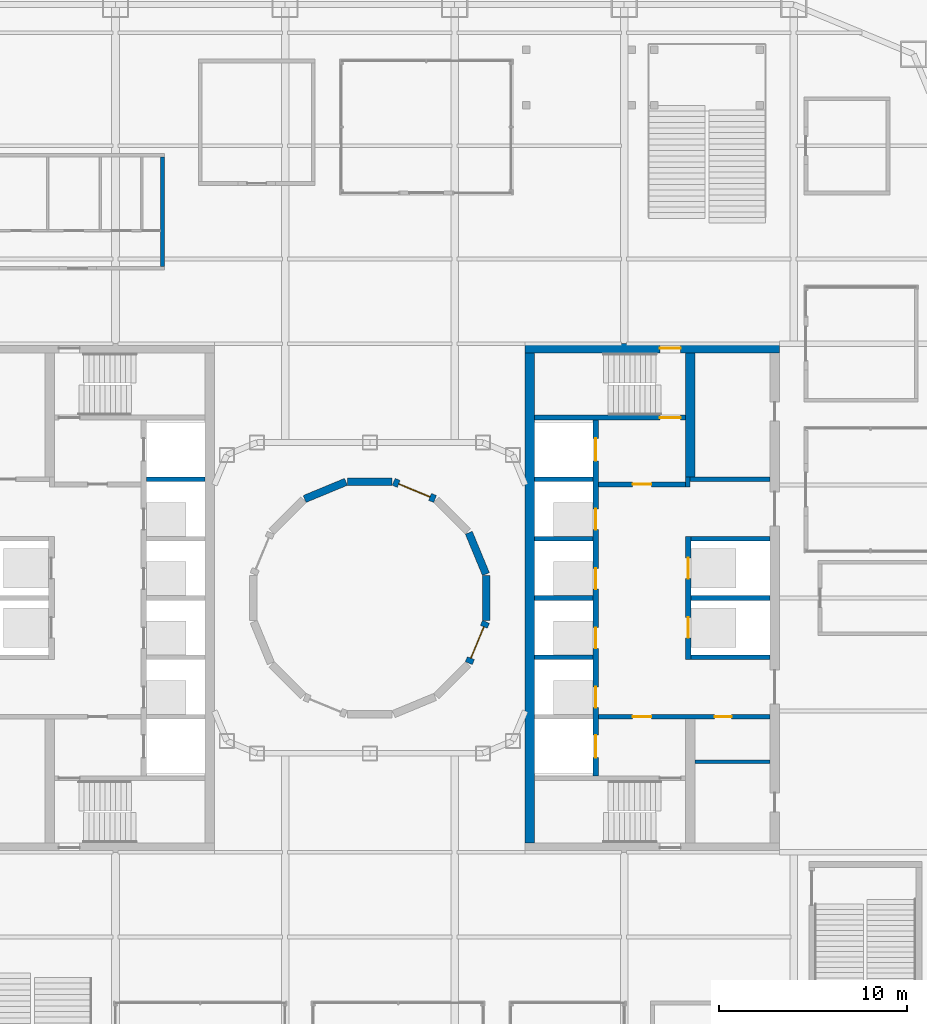
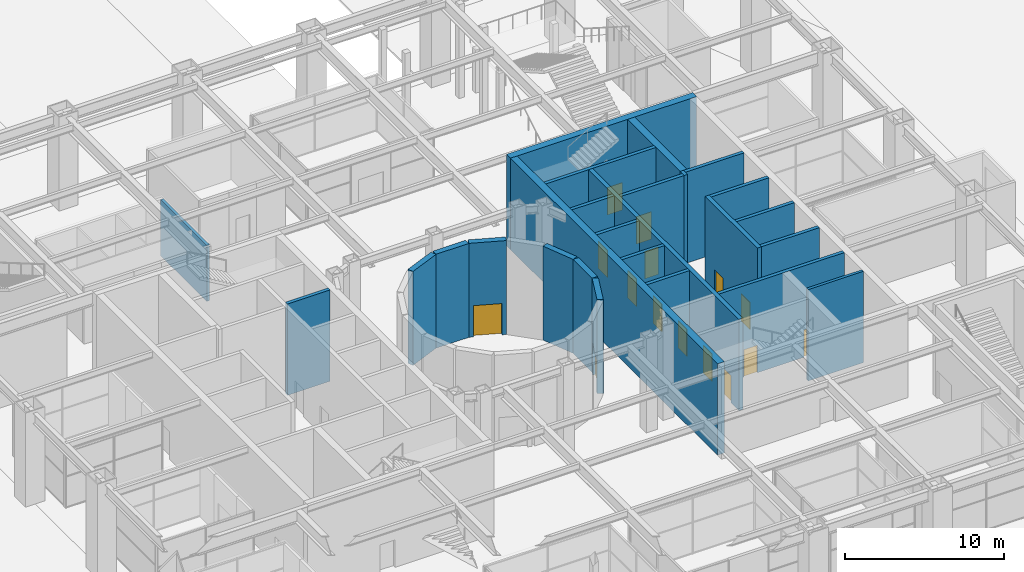
# One storey, part 15 of 20: 26 walls, 15 doors, 15 openings.
"""IFC4 building model written with IfcOpenShell, lengths in metres."""

from ifc_helpers import new_model, si_unit, direction, frame, frame_2d, origin, place, context, subcontext, project, spatial, rectangle, extrude, material, layer, layer_set, type_object, element, fill, save


model = new_model("IFC4")

# Units and contexts
model_context = context("Model", 3, precision=1e-05, world=origin(), true_north=direction((0.0, 1.0)))
body_context = subcontext(model_context, "Body", "Model", "MODEL_VIEW")
ifc_project = project(units=[si_unit("LENGTHUNIT", "METRE"), si_unit("AREAUNIT", "SQUARE_METRE"), si_unit("VOLUMEUNIT", "CUBIC_METRE"), si_unit("PLANEANGLEUNIT", "RADIAN"), si_unit("MASSUNIT", "GRAM", prefix="KILO")], contexts=[model_context])

# Site, building, storey
site_placement = place(None, origin())
site = spatial("IfcSite", under=ifc_project, at=site_placement, CompositionType="ELEMENT")
building_placement = place(site_placement, origin())
building = spatial("IfcBuilding", under=site, at=building_placement, Name="Siwar Civic Tower", CompositionType="ELEMENT")
storey_placement = place(building_placement, origin())
storey = spatial("IfcBuildingStorey", under=building, at=storey_placement, Name="L00", CompositionType="ELEMENT", Elevation=0.0)

# Walls
ifc_material_1 = material(Name="Gypsum board on steel studs", Category="steel")
ifc_layer_1 = layer(ifc_material_1, 0.199951171875)
ifc_layer_set_1 = layer_set([ifc_layer_1], Name="Gypsum board on steel studs")
wall_type_1 = type_object("IfcWallType", Name="CORE-PARTITION-200", PredefinedType="PARTITIONING", material=ifc_layer_set_1)
wall_1_placement = place(storey_placement, frame((17.25, -8.699951171875, 0.0), z_axis=(0.0, 0.0, 1.0), x_axis=(1.0, 0.0, 0.0)))
element("IfcWall", 1, at=wall_1_placement, inside=storey, type_object=wall_type_1, Name="Core partition E", PredefinedType="PARTITIONING", context=body_context, shape_type="SweptSolid", body=[
    extrude(rectangle(XDim=4.0, YDim=0.199951171875, at=frame_2d((2.0, 0.0))), origin(), (0.0, 0.0, 1.0), 7.0),
])
ifc_material_2 = material(Name="Concrete C60/75", Category="concrete")
ifc_layer_2 = layer(ifc_material_2, 0.25)
ifc_layer_set_2 = layer_set([ifc_layer_2], Name="Concrete C60/75")
wall_type_2 = type_object("IfcWallType", Name="CORE-WALL-RC250", PredefinedType="SHEAR", material=ifc_layer_set_2)
wall_2_placement = place(storey_placement, frame((-8.75, 6.300048828125, 0.0), z_axis=(0.0, 0.0, 1.0), x_axis=(-1.0, 0.0, 0.0)))
element("IfcWall", 2, at=wall_2_placement, inside=storey, type_object=wall_type_2, Name="Core wall W", PredefinedType="SHEAR", context=body_context, shape_type="SweptSolid", body=[
    extrude(rectangle(XDim=3.10009765625, YDim=0.25, at=frame_2d((1.550048828125, 0.0))), origin(), (0.0, 0.0, 1.0), 7.0),
])

# Wall, opening, door
wall_3_placement = place(storey_placement, frame((12.14990234375, 6.02490234375, 0.0), z_axis=(0.0, 0.0, 1.0), x_axis=(1.0, 0.0, 0.0)))
wall_3 = element("IfcWall", 3, at=wall_3_placement, inside=storey, type_object=wall_type_2, Name="Core wall E", PredefinedType="SHEAR", context=body_context, shape_type="SweptSolid", body=[
    extrude(rectangle(XDim=4.60009765625, YDim=0.25, at=frame_2d((2.300048828125, 0.0))), origin(), (0.0, 0.0, 1.0), 7.0),
])
opening_1_placement = place(wall_3_placement, frame((1.800048828125, 0.0, 0.0)))
opening_1 = element("IfcOpeningElement", 4, at=opening_1_placement, cuts=wall_3, Name="Opening L00-CE01", PredefinedType="OPENING", context=body_context, shape_type="SweptSolid", body=[
    extrude(rectangle(XDim=1.0, YDim=2.10009765625, at=frame_2d((0.5, 1.050048828125))), frame((0.0, 0.135009765625, 0.0), z_axis=(0.0, -1.0, 0.0), x_axis=(1.0, 0.0, 0.0)), (0.0, 0.0, 1.0), 0.27001953125),
])
ifc_material_3 = material(Name="Steel door leaf", Category="steel")
door_type_1 = type_object("IfcDoorType", Name="CORE-DOOR-FD30S", OperationType="SINGLE_SWING_LEFT", PredefinedType="DOOR", material=ifc_material_3)
door_1_placement = place(opening_1_placement, origin())
door_1 = element("IfcDoor", 5, at=door_1_placement, inside=storey, type_object=door_type_1, Name="Firefighting lobby door L00-CE01", OperationType="SINGLE_SWING_RIGHT", OverallHeight=2.10009765625, OverallWidth=1.0, PredefinedType="DOOR", context=body_context, shape_type="SweptSolid", body=[
    extrude(rectangle(XDim=1.0, YDim=2.10009765625, at=frame_2d((0.5, 1.050048828125))), frame((0.0, 0.02490234375, 0.0), z_axis=(0.0, -1.0, 0.0), x_axis=(1.0, 0.0, 0.0)), (0.0, 0.0, 1.0), 0.050048828125),
])
fill(opening_1, door_1)

# Walls
wall_4_placement = place(storey_placement, frame((16.875, 5.89990234375, 0.0), z_axis=(0.0, 0.0, 1.0), x_axis=(0.0, 1.0, 0.0)))
element("IfcWall", 6, at=wall_4_placement, inside=storey, type_object=wall_type_2, Name="Core wall E", PredefinedType="SHEAR", context=body_context, shape_type="SweptSolid", body=[
    extrude(rectangle(XDim=0.525146484375, YDim=0.25, at=frame_2d((0.2626953125, 0.0))), origin(), (0.0, 0.0, 1.0), 7.0),
])
wall_5_placement = place(storey_placement, frame((17.0, 6.300048828125, 0.0), z_axis=(0.0, 0.0, 1.0), x_axis=(1.0, 0.0, 0.0)))
element("IfcWall", 7, at=wall_5_placement, inside=storey, type_object=wall_type_2, Name="Core wall E", PredefinedType="SHEAR", context=body_context, shape_type="SweptSolid", body=[
    extrude(rectangle(XDim=4.25, YDim=0.25, at=frame_2d((2.125, 0.0))), origin(), (0.0, 0.0, 1.0), 7.0),
])

# Wall, openings, doors
wall_6_placement = place(storey_placement, frame((12.14990234375, -6.300048828125, 0.0), z_axis=(0.0, 0.0, 1.0), x_axis=(1.0, 0.0, 0.0)))
wall_6 = element("IfcWall", 8, at=wall_6_placement, inside=storey, type_object=wall_type_2, Name="Core wall E", PredefinedType="SHEAR", context=body_context, shape_type="SweptSolid", body=[
    extrude(rectangle(XDim=9.10009765625, YDim=0.25, at=frame_2d((4.550048828125, 0.0))), origin(), (0.0, 0.0, 1.0), 7.0),
])
opening_2_placement = place(wall_6_placement, frame((1.800048828125, 0.0, 0.0)))
opening_2 = element("IfcOpeningElement", 9, at=opening_2_placement, cuts=wall_6, Name="Opening L00-CE02", PredefinedType="OPENING", context=body_context, shape_type="SweptSolid", body=[
    extrude(rectangle(XDim=1.0, YDim=2.10009765625, at=frame_2d((0.5, 1.050048828125))), frame((0.0, 0.135009765625, 0.0), z_axis=(0.0, -1.0, 0.0), x_axis=(1.0, 0.0, 0.0)), (0.0, 0.0, 1.0), 0.27001953125),
])
opening_3_placement = place(wall_6_placement, frame((6.14990234375, 0.0, 0.0)))
opening_3 = element("IfcOpeningElement", 10, at=opening_3_placement, cuts=wall_6, Name="Opening L00-CE18", PredefinedType="OPENING", context=body_context, shape_type="SweptSolid", body=[
    extrude(rectangle(XDim=0.89990234375, YDim=2.10009765625, at=frame_2d((0.449951171875, 1.050048828125))), frame((0.0, 0.135009765625, 0.0), z_axis=(0.0, -1.0, 0.0), x_axis=(1.0, 0.0, 0.0)), (0.0, 0.0, 1.0), 0.27001953125),
])
door_2_placement = place(opening_2_placement, origin())
door_2 = element("IfcDoor", 11, at=door_2_placement, inside=storey, type_object=door_type_1, Name="Service lobby door L00-CE02", OperationType="SINGLE_SWING_LEFT", OverallHeight=2.10009765625, OverallWidth=1.0, PredefinedType="DOOR", context=body_context, shape_type="SweptSolid", body=[
    extrude(rectangle(XDim=1.0, YDim=2.10009765625, at=frame_2d((0.5, 1.050048828125))), frame((0.0, 0.02490234375, 0.0), z_axis=(0.0, -1.0, 0.0), x_axis=(1.0, 0.0, 0.0)), (0.0, 0.0, 1.0), 0.050048828125),
])
fill(opening_2, door_2)
ifc_material_4 = material(Name="Steel door leaf", Category="steel")
door_type_2 = type_object("IfcDoorType", Name="CORE-DOOR-ROOM", OperationType="SINGLE_SWING_LEFT", PredefinedType="DOOR", material=ifc_material_4)
door_3_placement = place(opening_3_placement, origin())
door_3 = element("IfcDoor", 12, at=door_3_placement, inside=storey, type_object=door_type_2, Name="Core room door L00-CE18", OperationType="SINGLE_SWING_LEFT", OverallHeight=2.10009765625, OverallWidth=0.89990234375, PredefinedType="DOOR", context=body_context, shape_type="SweptSolid", body=[
    extrude(rectangle(XDim=0.89990234375, YDim=2.10009765625, at=frame_2d((0.449951171875, 1.050048828125))), frame((0.0, 0.02490234375, 0.0), z_axis=(0.0, -1.0, 0.0), x_axis=(1.0, 0.0, 0.0)), (0.0, 0.0, 1.0), 0.050048828125),
])
fill(opening_3, door_3)

# Walls
for number, where, z_axis, x_axis, name in (
    (13, (17.050048828125, 0.0, 0.0), (0.0, 0.0, 1.0), (1.0, 0.0, 0.0), "Core wall E"),
    (14, (17.050048828125, 3.14990234375, 0.0), (0.0, 0.0, 1.0), (1.0, 0.0, 0.0), "Core wall E"),
    (15, (17.050048828125, -3.14990234375, 0.0), (0.0, 0.0, 1.0), (1.0, 0.0, 0.0), "Core wall E"),
):
    element("IfcWall", number, at=place(storey_placement, frame(where, z_axis=z_axis, x_axis=x_axis)), inside=storey, type_object=wall_type_2, Name=name, PredefinedType="SHEAR", context=body_context, shape_type="SweptSolid", body=[
        extrude(rectangle(XDim=4.199951171875, YDim=0.25, at=frame_2d((2.10009765625, 0.0))), origin(), (0.0, 0.0, 1.0), 7.0),
    ])
for number, where, z_axis, x_axis, name in (
    (16, (8.75, 0.0, 0.0), (0.0, 0.0, 1.0), (1.0, 0.0, 0.0), "Core wall E"),
    (17, (8.75, 3.14990234375, 0.0), (0.0, 0.0, 1.0), (1.0, 0.0, 0.0), "Core wall E"),
    (18, (8.75, 6.300048828125, 0.0), (0.0, 0.0, 1.0), (1.0, 0.0, 0.0), "Core wall E"),
    (19, (8.75, -3.14990234375, 0.0), (0.0, 0.0, 1.0), (1.0, 0.0, 0.0), "Core wall E"),
):
    element("IfcWall", number, at=place(storey_placement, frame(where, z_axis=z_axis, x_axis=x_axis)), inside=storey, type_object=wall_type_2, Name=name, PredefinedType="SHEAR", context=body_context, shape_type="SweptSolid", body=[
        extrude(rectangle(XDim=3.10009765625, YDim=0.25, at=frame_2d((1.550048828125, 0.0))), origin(), (0.0, 0.0, 1.0), 7.0),
    ])

# Wall, opening, door
wall_7_placement = place(storey_placement, frame((8.75, 9.574951171875, 0.0), z_axis=(0.0, 0.0, 1.0), x_axis=(1.0, 0.0, 0.0)))
wall_7 = element("IfcWall", 20, at=wall_7_placement, inside=storey, type_object=wall_type_2, Name="Core wall E", PredefinedType="SHEAR", context=body_context, shape_type="SweptSolid", body=[
    extrude(rectangle(XDim=8.0, YDim=0.25, at=frame_2d((4.0, 0.0))), origin(), (0.0, 0.0, 1.0), 7.0),
])
opening_4_placement = place(wall_7_placement, frame((6.64990234375, 0.0, 0.0)))
opening_4 = element("IfcOpeningElement", 21, at=opening_4_placement, cuts=wall_7, Name="Opening L00-CE03", PredefinedType="OPENING", context=body_context, shape_type="SweptSolid", body=[
    extrude(rectangle(XDim=1.10009765625, YDim=2.10009765625, at=frame_2d((0.550048828125, 1.050048828125))), frame((0.0, 0.135009765625, 0.0), z_axis=(0.0, -1.0, 0.0), x_axis=(1.0, 0.0, 0.0)), (0.0, 0.0, 1.0), 0.27001953125),
])
ifc_material_5 = material(Name="Steel door leaf", Category="steel")
door_type_3 = type_object("IfcDoorType", Name="CORE-DOOR-FD60S", OperationType="SINGLE_SWING_LEFT", PredefinedType="DOOR", material=ifc_material_5)
door_4_placement = place(opening_4_placement, origin())
door_4 = element("IfcDoor", 22, at=door_4_placement, inside=storey, type_object=door_type_3, Name="Stair door L00-CE03", OperationType="SINGLE_SWING_LEFT", OverallHeight=2.10009765625, OverallWidth=1.10009765625, PredefinedType="DOOR", context=body_context, shape_type="SweptSolid", body=[
    extrude(rectangle(XDim=1.10009765625, YDim=2.10009765625, at=frame_2d((0.550048828125, 1.050048828125))), frame((0.0, 0.02490234375, 0.0), z_axis=(0.0, -1.0, 0.0), x_axis=(1.0, 0.0, 0.0)), (0.0, 0.0, 1.0), 0.050048828125),
])
fill(opening_4, door_4)

# Wall, openings, doors
ifc_material_6 = material(Name="Concrete C60/75", Category="concrete")
ifc_layer_3 = layer(ifc_material_6, 0.300048828125)
ifc_layer_set_3 = layer_set([ifc_layer_3], Name="Concrete C60/75")
wall_type_3 = type_object("IfcWallType", Name="CORE-WALL-RC300", PredefinedType="SHEAR", material=ifc_layer_set_3)
wall_8_placement = place(storey_placement, frame((12.0, -9.449951171875, 0.0), z_axis=(0.0, 0.0, 1.0), x_axis=(0.0, 1.0, 0.0)))
wall_8 = element("IfcWall", 23, at=wall_8_placement, inside=storey, type_object=wall_type_3, Name="Core wall E", PredefinedType="SHEAR", context=body_context, shape_type="SweptSolid", body=[
    extrude(rectangle(XDim=18.89990234375, YDim=0.300048828125, at=frame_2d((9.449951171875, 0.0))), origin(), (0.0, 0.0, 1.0), 7.0),
])
opening_5_placement = place(wall_8_placement, frame((3.625, 0.0, 0.0)))
opening_5 = element("IfcOpeningElement", 24, at=opening_5_placement, cuts=wall_8, Name="Opening L00-CE09", PredefinedType="OPENING", context=body_context, shape_type="SweptSolid", body=[
    extrude(rectangle(XDim=1.10009765625, YDim=2.10009765625, at=frame_2d((0.550048828125, 1.050048828125))), frame((0.0, 0.16015625, 0.0), z_axis=(0.0, -1.0, 0.0), x_axis=(1.0, 0.0, 0.0)), (0.0, 0.0, 1.0), 0.320068359375),
])
opening_6_placement = place(wall_8_placement, frame((6.77490234375, 0.0, 0.0)))
opening_6 = element("IfcOpeningElement", 25, at=opening_6_placement, cuts=wall_8, Name="Opening L00-CE10", PredefinedType="OPENING", context=body_context, shape_type="SweptSolid", body=[
    extrude(rectangle(XDim=1.10009765625, YDim=2.10009765625, at=frame_2d((0.550048828125, 1.050048828125))), frame((0.0, 0.16015625, 0.0), z_axis=(0.0, -1.0, 0.0), x_axis=(1.0, 0.0, 0.0)), (0.0, 0.0, 1.0), 0.320068359375),
])
opening_7_placement = place(wall_8_placement, frame((9.925048828125, 0.0, 0.0)))
opening_7 = element("IfcOpeningElement", 26, at=opening_7_placement, cuts=wall_8, Name="Opening L00-CE11", PredefinedType="OPENING", context=body_context, shape_type="SweptSolid", body=[
    extrude(rectangle(XDim=1.10009765625, YDim=2.10009765625, at=frame_2d((0.550048828125, 1.050048828125))), frame((0.0, 0.16015625, 0.0), z_axis=(0.0, -1.0, 0.0), x_axis=(1.0, 0.0, 0.0)), (0.0, 0.0, 1.0), 0.320068359375),
])
opening_8_placement = place(wall_8_placement, frame((13.074951171875, 0.0, 0.0)))
opening_8 = element("IfcOpeningElement", 27, at=opening_8_placement, cuts=wall_8, Name="Opening L00-CE12", PredefinedType="OPENING", context=body_context, shape_type="SweptSolid", body=[
    extrude(rectangle(XDim=1.10009765625, YDim=2.10009765625, at=frame_2d((0.550048828125, 1.050048828125))), frame((0.0, 0.16015625, 0.0), z_axis=(0.0, -1.0, 0.0), x_axis=(1.0, 0.0, 0.0)), (0.0, 0.0, 1.0), 0.320068359375),
])
opening_9_placement = place(wall_8_placement, frame((16.72509765625, 0.0, 0.0)))
opening_9 = element("IfcOpeningElement", 28, at=opening_9_placement, cuts=wall_8, Name="Opening L00-CE15", PredefinedType="OPENING", context=body_context, shape_type="SweptSolid", body=[
    extrude(rectangle(XDim=1.199951171875, YDim=2.10009765625, at=frame_2d((0.60009765625, 1.050048828125))), frame((0.0, 0.16015625, 0.0), z_axis=(0.0, -1.0, 0.0), x_axis=(1.0, 0.0, 0.0)), (0.0, 0.0, 1.0), 0.320068359375),
])
opening_10_placement = place(wall_8_placement, frame((0.97509765625, 0.0, 0.0)))
opening_10 = element("IfcOpeningElement", 29, at=opening_10_placement, cuts=wall_8, Name="Opening L00-CE16", PredefinedType="OPENING", context=body_context, shape_type="SweptSolid", body=[
    extrude(rectangle(XDim=1.199951171875, YDim=2.10009765625, at=frame_2d((0.60009765625, 1.050048828125))), frame((0.0, 0.16015625, 0.0), z_axis=(0.0, -1.0, 0.0), x_axis=(1.0, 0.0, 0.0)), (0.0, 0.0, 1.0), 0.320068359375),
])
ifc_material_7 = material(Name="Steel door leaf", Category="steel")
door_type_4 = type_object("IfcDoorType", Name="CORE-DOOR-LD", OperationType="DOUBLE_DOOR_SLIDING", PredefinedType="DOOR", material=ifc_material_7)
door_5_placement = place(opening_5_placement, origin())
door_5 = element("IfcDoor", 30, at=door_5_placement, inside=storey, type_object=door_type_4, Name="Landing door LR5 L00-CE09", OperationType="DOUBLE_DOOR_SLIDING", OverallHeight=2.10009765625, OverallWidth=1.10009765625, PredefinedType="DOOR", context=body_context, shape_type="SweptSolid", body=[
    extrude(rectangle(XDim=1.10009765625, YDim=2.10009765625, at=frame_2d((0.550048828125, 1.050048828125))), frame((0.0, 0.02490234375, 0.0), z_axis=(0.0, -1.0, 0.0), x_axis=(1.0, 0.0, 0.0)), (0.0, 0.0, 1.0), 0.050048828125),
])
fill(opening_5, door_5)
door_6_placement = place(opening_6_placement, origin())
door_6 = element("IfcDoor", 31, at=door_6_placement, inside=storey, type_object=door_type_4, Name="Landing door LR6 L00-CE10", OperationType="DOUBLE_DOOR_SLIDING", OverallHeight=2.10009765625, OverallWidth=1.10009765625, PredefinedType="DOOR", context=body_context, shape_type="SweptSolid", body=[
    extrude(rectangle(XDim=1.10009765625, YDim=2.10009765625, at=frame_2d((0.550048828125, 1.050048828125))), frame((0.0, 0.02490234375, 0.0), z_axis=(0.0, -1.0, 0.0), x_axis=(1.0, 0.0, 0.0)), (0.0, 0.0, 1.0), 0.050048828125),
])
fill(opening_6, door_6)
door_7_placement = place(opening_7_placement, origin())
door_7 = element("IfcDoor", 32, at=door_7_placement, inside=storey, type_object=door_type_4, Name="Landing door LR7 L00-CE11", OperationType="DOUBLE_DOOR_SLIDING", OverallHeight=2.10009765625, OverallWidth=1.10009765625, PredefinedType="DOOR", context=body_context, shape_type="SweptSolid", body=[
    extrude(rectangle(XDim=1.10009765625, YDim=2.10009765625, at=frame_2d((0.550048828125, 1.050048828125))), frame((0.0, 0.02490234375, 0.0), z_axis=(0.0, -1.0, 0.0), x_axis=(1.0, 0.0, 0.0)), (0.0, 0.0, 1.0), 0.050048828125),
])
fill(opening_7, door_7)
door_8_placement = place(opening_8_placement, origin())
door_8 = element("IfcDoor", 33, at=door_8_placement, inside=storey, type_object=door_type_4, Name="Landing door LR8 L00-CE12", OperationType="DOUBLE_DOOR_SLIDING", OverallHeight=2.10009765625, OverallWidth=1.10009765625, PredefinedType="DOOR", context=body_context, shape_type="SweptSolid", body=[
    extrude(rectangle(XDim=1.10009765625, YDim=2.10009765625, at=frame_2d((0.550048828125, 1.050048828125))), frame((0.0, 0.02490234375, 0.0), z_axis=(0.0, -1.0, 0.0), x_axis=(1.0, 0.0, 0.0)), (0.0, 0.0, 1.0), 0.050048828125),
])
fill(opening_8, door_8)
ifc_material_8 = material(Name="Steel door leaf", Category="steel")
door_type_5 = type_object("IfcDoorType", Name="CORE-DOOR-LDW", OperationType="DOUBLE_DOOR_SLIDING", PredefinedType="DOOR", material=ifc_material_8)
door_9_placement = place(opening_9_placement, origin())
door_9 = element("IfcDoor", 34, at=door_9_placement, inside=storey, type_object=door_type_5, Name="Landing door FF2 L00-CE15", OperationType="DOUBLE_DOOR_SLIDING", OverallHeight=2.10009765625, OverallWidth=1.199951171875, PredefinedType="DOOR", context=body_context, shape_type="SweptSolid", body=[
    extrude(rectangle(XDim=1.199951171875, YDim=2.10009765625, at=frame_2d((0.60009765625, 1.050048828125))), frame((0.0, 0.02490234375, 0.0), z_axis=(0.0, -1.0, 0.0), x_axis=(1.0, 0.0, 0.0)), (0.0, 0.0, 1.0), 0.050048828125),
])
fill(opening_9, door_9)
door_10_placement = place(opening_10_placement, origin())
door_10 = element("IfcDoor", 35, at=door_10_placement, inside=storey, type_object=door_type_5, Name="Landing door SV2 L00-CE16", OperationType="DOUBLE_DOOR_SLIDING", OverallHeight=2.10009765625, OverallWidth=1.199951171875, PredefinedType="DOOR", context=body_context, shape_type="SweptSolid", body=[
    extrude(rectangle(XDim=1.199951171875, YDim=2.10009765625, at=frame_2d((0.60009765625, 1.050048828125))), frame((0.0, 0.02490234375, 0.0), z_axis=(0.0, -1.0, 0.0), x_axis=(1.0, 0.0, 0.0)), (0.0, 0.0, 1.0), 0.050048828125),
])
fill(opening_10, door_10)

wall_9_placement = place(storey_placement, frame((16.89990234375, -3.27490234375, 0.0), z_axis=(0.0, 0.0, 1.0), x_axis=(0.0, 1.0, 0.0)))
wall_9 = element("IfcWall", 36, at=wall_9_placement, inside=storey, type_object=wall_type_3, Name="Core wall E", PredefinedType="SHEAR", context=body_context, shape_type="SweptSolid", body=[
    extrude(rectangle(XDim=6.5498046875, YDim=0.300048828125, at=frame_2d((3.27490234375, 0.0))), origin(), (0.0, 0.0, 1.0), 7.0),
])
opening_11_placement = place(wall_9_placement, frame((1.14990234375, 0.0, 0.0)))
opening_11 = element("IfcOpeningElement", 37, at=opening_11_placement, cuts=wall_9, Name="Opening L00-CE13", PredefinedType="OPENING", context=body_context, shape_type="SweptSolid", body=[
    extrude(rectangle(XDim=1.10009765625, YDim=2.10009765625, at=frame_2d((0.550048828125, 1.050048828125))), frame((0.0, 0.16015625, 0.0), z_axis=(0.0, -1.0, 0.0), x_axis=(1.0, 0.0, 0.0)), (0.0, 0.0, 1.0), 0.320068359375),
])
opening_12_placement = place(wall_9_placement, frame((4.300048828125, 0.0, 0.0)))
opening_12 = element("IfcOpeningElement", 38, at=opening_12_placement, cuts=wall_9, Name="Opening L00-CE14", PredefinedType="OPENING", context=body_context, shape_type="SweptSolid", body=[
    extrude(rectangle(XDim=1.10009765625, YDim=2.10009765625, at=frame_2d((0.550048828125, 1.050048828125))), frame((0.0, 0.16015625, 0.0), z_axis=(0.0, -1.0, 0.0), x_axis=(1.0, 0.0, 0.0)), (0.0, 0.0, 1.0), 0.320068359375),
])
door_11_placement = place(opening_11_placement, origin())
door_11 = element("IfcDoor", 39, at=door_11_placement, inside=storey, type_object=door_type_4, Name="Landing door SH3 L00-CE13", OperationType="DOUBLE_DOOR_SLIDING", OverallHeight=2.10009765625, OverallWidth=1.10009765625, PredefinedType="DOOR", context=body_context, shape_type="SweptSolid", body=[
    extrude(rectangle(XDim=1.10009765625, YDim=2.10009765625, at=frame_2d((0.550048828125, 1.050048828125))), frame((0.0, 0.02490234375, 0.0), z_axis=(0.0, -1.0, 0.0), x_axis=(1.0, 0.0, 0.0)), (0.0, 0.0, 1.0), 0.050048828125),
])
fill(opening_11, door_11)
door_12_placement = place(opening_12_placement, origin())
door_12 = element("IfcDoor", 40, at=door_12_placement, inside=storey, type_object=door_type_4, Name="Landing door SH4 L00-CE14", OperationType="DOUBLE_DOOR_SLIDING", OverallHeight=2.10009765625, OverallWidth=1.10009765625, PredefinedType="DOOR", context=body_context, shape_type="SweptSolid", body=[
    extrude(rectangle(XDim=1.10009765625, YDim=2.10009765625, at=frame_2d((0.550048828125, 1.050048828125))), frame((0.0, 0.02490234375, 0.0), z_axis=(0.0, -1.0, 0.0), x_axis=(1.0, 0.0, 0.0)), (0.0, 0.0, 1.0), 0.050048828125),
])
fill(opening_12, door_12)

# Wall
ifc_material_9 = material(Name="Concrete C60/75", Category="concrete")
ifc_layer_4 = layer(ifc_material_9, 0.5)
ifc_layer_set_4 = layer_set([ifc_layer_4], Name="Concrete C60/75")
wall_type_4 = type_object("IfcWallType", Name="CORE-WALL-RC500", PredefinedType="SHEAR", material=ifc_layer_set_4)
wall_10_placement = place(storey_placement, frame((17.0, 6.425048828125, 0.0), z_axis=(0.0, 0.0, 1.0), x_axis=(0.0, 1.0, 0.0)))
element("IfcWall", 41, at=wall_10_placement, inside=storey, type_object=wall_type_4, Name="Core wall E", PredefinedType="SHEAR", context=body_context, shape_type="SweptSolid", body=[
    extrude(rectangle(XDim=6.574951171875, YDim=0.5, at=frame_2d((3.28759765625, 0.0))), origin(), (0.0, 0.0, 1.0), 7.0),
])

# Wall, opening, door
ifc_material_10 = material(Name="Concrete C60/75", Category="concrete")
ifc_layer_5 = layer(ifc_material_10, 0.5)
ifc_layer_set_5 = layer_set([ifc_layer_5], Name="Concrete C60/75")
wall_type_5 = type_object("IfcWallType", Name="CORE-WALL-RC500-EXT", PredefinedType="SHEAR", material=ifc_layer_set_5)
wall_11_placement = place(storey_placement, frame((8.25, 13.25, 0.0), z_axis=(0.0, 0.0, 1.0), x_axis=(1.0, 0.0, 0.0)))
wall_11 = element("IfcWall", 42, at=wall_11_placement, inside=storey, type_object=wall_type_5, Name="Core wall E", PredefinedType="SHEAR", context=body_context, shape_type="SweptSolid", body=[
    extrude(rectangle(XDim=13.5, YDim=0.5, at=frame_2d((6.75, 0.0))), origin(), (0.0, 0.0, 1.0), 7.0),
])
opening_13_placement = place(wall_11_placement, frame((7.14990234375, 0.0, 0.0)))
opening_13 = element("IfcOpeningElement", 43, at=opening_13_placement, cuts=wall_11, Name="Opening L00-CE07", PredefinedType="OPENING", context=body_context, shape_type="SweptSolid", body=[
    extrude(rectangle(XDim=1.10009765625, YDim=2.10009765625, at=frame_2d((0.550048828125, 1.050048828125))), frame((0.0, 0.260009765625, 0.0), z_axis=(0.0, -1.0, 0.0), x_axis=(1.0, 0.0, 0.0)), (0.0, 0.0, 1.0), 0.52001953125),
])
ifc_material_11 = material(Name="Steel door leaf", Category="steel")
door_type_6 = type_object("IfcDoorType", Name="CORE-DOOR-FD60S-EXT", OperationType="SINGLE_SWING_LEFT", PredefinedType="DOOR", material=ifc_material_11)
door_13_placement = place(opening_13_placement, origin())
door_13 = element("IfcDoor", 44, at=door_13_placement, inside=storey, type_object=door_type_6, Name="Main exit ST3 L00-CE07", OperationType="SINGLE_SWING_RIGHT", OverallHeight=2.10009765625, OverallWidth=1.10009765625, PredefinedType="DOOR", context=body_context, shape_type="SweptSolid", body=[
    extrude(rectangle(XDim=1.10009765625, YDim=2.10009765625, at=frame_2d((0.550048828125, 1.050048828125))), frame((0.0, 0.02490234375, 0.0), z_axis=(0.0, -1.0, 0.0), x_axis=(1.0, 0.0, 0.0)), (0.0, 0.0, 1.0), 0.050048828125),
])
fill(opening_13, door_13)

# Walls
wall_12_placement = place(storey_placement, frame((8.5, -13.0, 0.0), z_axis=(0.0, 0.0, 1.0), x_axis=(0.0, 1.0, 0.0)))
element("IfcWall", 45, at=wall_12_placement, inside=storey, type_object=wall_type_5, Name="Core wall E", PredefinedType="SHEAR", context=body_context, shape_type="SweptSolid", body=[
    extrude(rectangle(XDim=26.0, YDim=0.5, at=frame_2d((13.0, 0.0))), origin(), (0.0, 0.0, 1.0), 7.0),
])
ifc_material_12 = material(Name="Concrete C60/75", Category="concrete")
ifc_layer_6 = layer(ifc_material_12, 0.39990234375)
ifc_layer_set_6 = layer_set([ifc_layer_6], Name="Concrete C60/75")
wall_type_6 = type_object("IfcWallType", Name="GND-DRUMWALL", PredefinedType="SOLIDWALL", material=ifc_layer_set_6)
wall_13_placement = place(storey_placement, frame((6.163330078125, 1.266845703125, 0.0), z_axis=(0.0, 0.0, 1.0), x_axis=(-0.382681453552, 0.92388035216, 0.0)))
element("IfcWall", 46, at=wall_13_placement, inside=storey, type_object=wall_type_6, Name="L00/wall/drum-01", PredefinedType="SOLIDWALL", context=body_context, shape_type="SweptSolid", body=[
    extrude(rectangle(XDim=2.37646484375, YDim=0.39990234375, at=frame_2d((1.188232421875, 0.0))), origin(), (0.0, 0.0, 1.0), 7.199951171875),
])

# Wall, opening, door
wall_14_placement = place(storey_placement, frame((3.46240234375, 5.25390625, 0.0), z_axis=(0.0, 0.0, 1.0), x_axis=(-0.92388035216, 0.382681453552, 0.0)))
wall_14 = element("IfcWall", 47, at=wall_14_placement, inside=storey, type_object=wall_type_6, Name="L00/wall/drum-03", PredefinedType="SOLIDWALL", context=body_context, shape_type="SweptSolid", body=[
    extrude(rectangle(XDim=2.37646484375, YDim=0.39990234375, at=frame_2d((1.188232421875, 0.0))), origin(), (0.0, 0.0, 1.0), 7.199951171875),
])
opening_14_placement = place(wall_14_placement, frame((0.288330078125, 0.0, 0.0)))
opening_14 = element("IfcOpeningElement", 48, at=opening_14_placement, cuts=wall_14, Name="Opening GE5", PredefinedType="OPENING", context=body_context, shape_type="SweptSolid", body=[
    extrude(rectangle(XDim=1.800048828125, YDim=2.39990234375, at=frame_2d((0.89990234375, 1.199951171875))), frame((0.0, 0.2099609375, 0.0), z_axis=(0.0, -1.0, 0.0), x_axis=(1.0, 0.0, 0.0)), (0.0, 0.0, 1.0), 0.419921875),
])
ifc_material_13 = material(Name="Timber and glass", Category="wood")
door_type_7 = type_object("IfcDoorType", Name="GND-DOOR-DRUM", OperationType="DOUBLE_DOOR_SINGLE_SWING", PredefinedType="DOOR", material=ifc_material_13)
door_14_placement = place(opening_14_placement, frame((1.800048828125, 0.0, 0.0), z_axis=(0.0, 0.0, 1.0), x_axis=(-1.0, 0.0, 0.0)))
door_14 = element("IfcDoor", 49, at=door_14_placement, inside=storey, type_object=door_type_7, Name="Council chamber entrance 1", OperationType="DOUBLE_DOOR_SINGLE_SWING", OverallHeight=2.39990234375, OverallWidth=1.800048828125, PredefinedType="DOOR", context=body_context, shape_type="SweptSolid", body=[
    extrude(rectangle(XDim=1.800048828125, YDim=2.39990234375, at=frame_2d((0.900146484375, 1.199951171875))), frame((0.0, 0.025146484375, 0.0), z_axis=(0.0, -1.0, 0.0), x_axis=(1.0, 0.0, 0.0)), (0.0, 0.0, 1.0), 0.050048828125),
])
fill(opening_14, door_14)

# Walls
for number, where, z_axis, x_axis, name in (
    (50, (1.188232421875, 6.178955078125, 0.0), (0.0, 0.0, 1.0), (-1.0, 0.0, 0.0), "L00/wall/drum-04"),
    (51, (-1.266845703125, 6.163330078125, 0.0), (0.0, 0.0, 1.0), (-0.92388035216, -0.382681453552, 0.0), "L00/wall/drum-05"),
):
    element("IfcWall", number, at=place(storey_placement, frame(where, z_axis=z_axis, x_axis=x_axis)), inside=storey, type_object=wall_type_6, Name=name, PredefinedType="SOLIDWALL", context=body_context, shape_type="SweptSolid", body=[
        extrude(rectangle(XDim=2.37646484375, YDim=0.39990234375, at=frame_2d((1.188232421875, 0.0))), origin(), (0.0, 0.0, 1.0), 7.199951171875),
    ])

# Wall, opening, door
wall_15_placement = place(storey_placement, frame((5.25390625, -3.46240234375, 0.0), z_axis=(0.0, 0.0, 1.0), x_axis=(0.382681453552, 0.92388035216, 0.0)))
wall_15 = element("IfcWall", 52, at=wall_15_placement, inside=storey, type_object=wall_type_6, Name="L00/wall/drum-15", PredefinedType="SOLIDWALL", context=body_context, shape_type="SweptSolid", body=[
    extrude(rectangle(XDim=2.37646484375, YDim=0.39990234375, at=frame_2d((1.188232421875, 0.0))), origin(), (0.0, 0.0, 1.0), 7.199951171875),
])
opening_15_placement = place(wall_15_placement, frame((0.288330078125, 0.0, 0.0)))
opening_15 = element("IfcOpeningElement", 53, at=opening_15_placement, cuts=wall_15, Name="Opening GE5", PredefinedType="OPENING", context=body_context, shape_type="SweptSolid", body=[
    extrude(rectangle(XDim=1.800048828125, YDim=2.39990234375, at=frame_2d((0.89990234375, 1.199951171875))), frame((0.0, 0.2099609375, 0.0), z_axis=(0.0, -1.0, 0.0), x_axis=(1.0, 0.0, 0.0)), (0.0, 0.0, 1.0), 0.419921875),
])
door_15_placement = place(opening_15_placement, frame((1.800048828125, 0.0, 0.0), z_axis=(0.0, 0.0, 1.0), x_axis=(-1.0, 0.0, 0.0)))
door_15 = element("IfcDoor", 54, at=door_15_placement, inside=storey, type_object=door_type_7, Name="Council chamber entrance 4", OperationType="DOUBLE_DOOR_SINGLE_SWING", OverallHeight=2.39990234375, OverallWidth=1.800048828125, PredefinedType="DOOR", context=body_context, shape_type="SweptSolid", body=[
    extrude(rectangle(XDim=1.800048828125, YDim=2.39990234375, at=frame_2d((0.900146484375, 1.199951171875))), frame((0.0, 0.025146484375, 0.0), z_axis=(0.0, -1.0, 0.0), x_axis=(1.0, 0.0, 0.0)), (0.0, 0.0, 1.0), 0.050048828125),
])
fill(opening_15, door_15)

# Walls
wall_16_placement = place(storey_placement, frame((6.178955078125, -1.188232421875, 0.0), z_axis=(0.0, 0.0, 1.0), x_axis=(0.0, 1.0, 0.0)))
element("IfcWall", 55, at=wall_16_placement, inside=storey, type_object=wall_type_6, Name="L00/wall/drum-16", PredefinedType="SOLIDWALL", context=body_context, shape_type="SweptSolid", body=[
    extrude(rectangle(XDim=2.37646484375, YDim=0.39990234375, at=frame_2d((1.188232421875, 0.0))), origin(), (0.0, 0.0, 1.0), 7.199951171875),
])
ifc_material_14 = material(Name="Insulated blockwork", Category="masonry")
ifc_layer_7 = layer(ifc_material_14, 0.199951171875)
ifc_layer_set_7 = layer_set([ifc_layer_7], Name="Insulated blockwork")
wall_type_7 = type_object("IfcWallType", Name="GND-POD-WALL", PredefinedType="SOLIDWALL", material=ifc_layer_set_7)
wall_17_placement = place(storey_placement, frame((-11.0, 17.60009765625, 0.0), z_axis=(0.0, 0.0, 1.0), x_axis=(0.0, 1.0, 0.0)))
element("IfcWall", 56, at=wall_17_placement, inside=storey, type_object=wall_type_7, Name="L00/wall/P06-E4", PredefinedType="SOLIDWALL", context=body_context, shape_type="SweptSolid", body=[
    extrude(rectangle(XDim=5.7998046875, YDim=0.199951171875, at=frame_2d((2.89990234375, 0.0))), origin(), (0.0, 0.0, 1.0), 4.300048828125),
])

save(model, "model.ifc")
